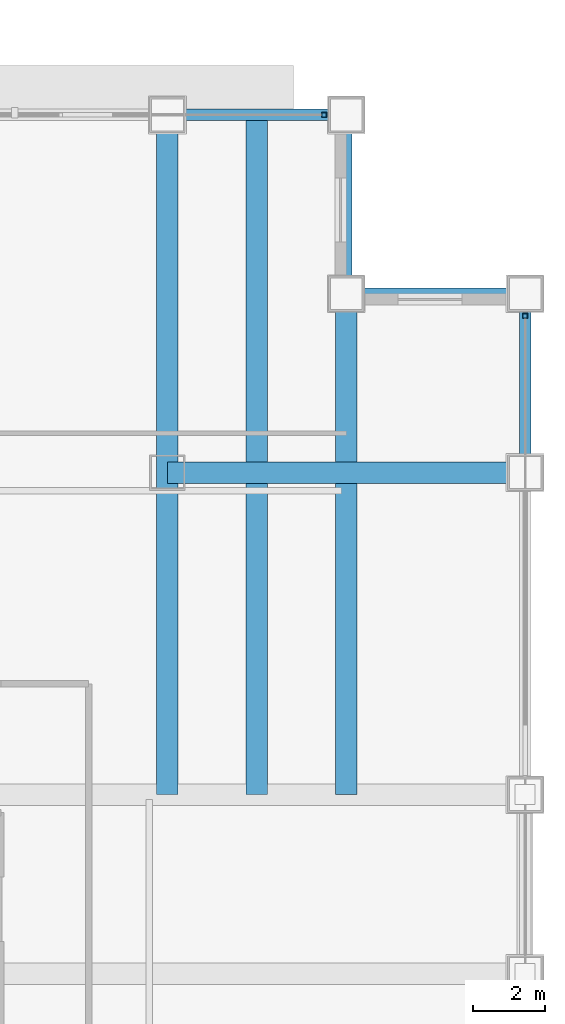
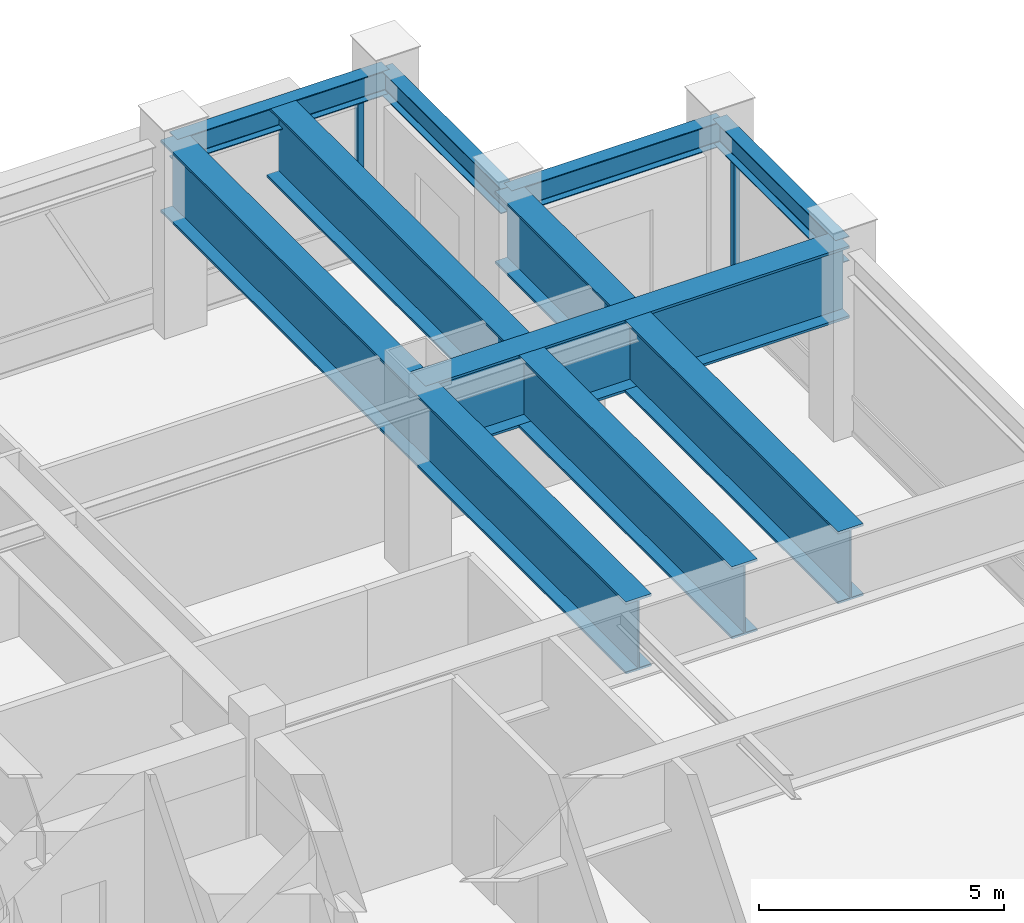
# One storey, part 21 of 33: 8 beams, 2 members, 2 elements without a shape of their own.
"""IFC4 building model written with IfcOpenShell, lengths in metres."""

from ifc_helpers import new_model, si_unit, direction, frame, origin, origin_2d, place, context, subcontext, project, spatial, hollow_rectangle, i_section, extrude, source, transform, mapped, material, material_profile, profile_set, type_object, element, aggregate, save


model = new_model("IFC4")

# Units and contexts
model_context = context("Model", 3, precision=1e-05, world=origin(), true_north=direction((0.0, 1.0)))
body_context = subcontext(model_context, "Body", "Model", "MODEL_VIEW")
ifc_project = project(units=[si_unit("LENGTHUNIT", "METRE"), si_unit("AREAUNIT", "SQUARE_METRE"), si_unit("VOLUMEUNIT", "CUBIC_METRE"), si_unit("PLANEANGLEUNIT", "RADIAN"), si_unit("MASSUNIT", "GRAM", prefix="KILO")], contexts=[model_context])

# Site, building, storey
site_placement = place(None, origin())
site = spatial("IfcSite", under=ifc_project, at=site_placement, CompositionType="ELEMENT")
building_placement = place(site_placement, origin())
building = spatial("IfcBuilding", under=site, at=building_placement, Name="Khorayat Bourse Tower", CompositionType="ELEMENT")
storey_placement = place(building_placement, frame((0.0, 0.0, 263.10009765625)))
storey = spatial("IfcBuildingStorey", under=building, at=storey_placement, Name="L62", CompositionType="ELEMENT", Elevation=263.10009765625)

# Beams
ifc_material_1 = material(Name="Steel EN 10025-4 S460M", Category="steel")
ifc_material_profile_1 = material_profile(ifc_material_1, i_section(OverallWidth=0.60009765625, OverallDepth=1.800048828125, WebThickness=0.031982421875, FlangeThickness=0.06005859375, at=origin_2d()), Name="PG 1800x600x32x60")
ifc_profile_set_1 = profile_set([ifc_material_profile_1], Name="Steel EN 10025-4 S460M")
beam_type_1 = type_object("IfcBeamType", Name="BM-TR-1800", PredefinedType="BEAM", material=ifc_profile_set_1)
shared_shape_1 = source(origin(), body_context, "Body", "SweptSolid", [
    extrude(i_section(OverallWidth=0.60009765625, OverallDepth=1.800048828125, WebThickness=0.031982421875, FlangeThickness=0.06005859375, at=origin_2d()), origin(), (0.0, 0.0, 1.0), 14.0),
])
beam_1_placement = place(storey_placement, frame((25.0, 11.0, 3.699951171875), z_axis=(0.0, 1.0, 0.0), x_axis=(-1.0, 0.0, 0.0)))
element("IfcBeam", 1, at=beam_1_placement, inside=storey, type_object=beam_type_1, Name="L62 BM-TR-1800 BM-L62-CNRY-095", PredefinedType="BEAM", context=body_context, shape_type="MappedRepresentation", body=[
    mapped(shared_shape_1, transform((0.0, 0.0, 0.0), scale=1.0)),
])
shared_shape_2 = source(origin(), body_context, "Body", "SweptSolid", [
    extrude(i_section(OverallWidth=0.60009765625, OverallDepth=1.800048828125, WebThickness=0.031982421875, FlangeThickness=0.06005859375, at=origin_2d()), origin(), (0.0, 0.0, 1.0), 10.0),
])
beam_2_placement = place(storey_placement, frame((20.0, 20.0, 3.699951171875), z_axis=(1.0, 0.0, 0.0), x_axis=(0.0, 1.0, 0.0)))
element("IfcBeam", 2, at=beam_2_placement, inside=storey, type_object=beam_type_1, Name="L62 BM-TR-1800 BM-L62-CNRX-098", PredefinedType="BEAM", context=body_context, shape_type="MappedRepresentation", body=[
    mapped(shared_shape_2, transform((0.0, 0.0, 0.0), scale=1.0)),
])
ifc_material_2 = material(Name="Steel ASTM A992 Grade 50", Category="steel")
ifc_material_profile_2 = material_profile(ifc_material_2, i_section(OverallWidth=0.324951171875, OverallDepth=0.615966796875, WebThickness=0.013916015625, FlangeThickness=0.021484375, FilletRadius=0.01611328125, at=origin_2d()), Name="W610X174")
ifc_profile_set_2 = profile_set([ifc_material_profile_2], Name="Steel ASTM A992 Grade 50")
beam_type_2 = type_object("IfcBeamType", Name="BM-SPAN-610", PredefinedType="SPANDREL", material=ifc_profile_set_2)
shared_shape_3 = source(origin(), body_context, "Body", "SweptSolid", [
    extrude(i_section(OverallWidth=0.324951171875, OverallDepth=0.615966796875, WebThickness=0.013916015625, FlangeThickness=0.021484375, FilletRadius=0.01611328125, at=origin_2d()), origin(), (0.0, 0.0, 1.0), 5.0),
])
for number, where, z_axis, x_axis, name in (
    (3, (30.0, 20.0, 4.2919921875), (0.0, 1.0, 0.0), (-1.0, 0.0, 0.0), "L62 BM-SPAN-610 BM-L62-SPN-041"),
    (4, (25.0, 25.0, 4.2919921875), (1.0, 0.0, 0.0), (0.0, 1.0, 0.0), "L62 BM-SPAN-610 BM-L62-SPN-042"),
    (5, (25.0, 25.0, 4.2919921875), (0.0, 1.0, 0.0), (-1.0, 0.0, 0.0), "L62 BM-SPAN-610 BM-L62-SPN-043"),
    (6, (20.0, 30.0, 4.2919921875), (1.0, 0.0, 0.0), (0.0, 1.0, 0.0), "L62 BM-SPAN-610 BM-L62-SPN-044"),
):
    element("IfcBeam", number, at=place(storey_placement, frame(where, z_axis=z_axis, x_axis=x_axis)), inside=storey, type_object=beam_type_2, Name=name, PredefinedType="SPANDREL", context=body_context, shape_type="MappedRepresentation", body=[
        mapped(shared_shape_3, transform((0.0, 0.0, 0.0), scale=1.0)),
    ])
shared_shape_4 = source(origin(), body_context, "Body", "SweptSolid", [
    extrude(i_section(OverallWidth=0.60009765625, OverallDepth=1.800048828125, WebThickness=0.031982421875, FlangeThickness=0.06005859375, at=origin_2d()), origin(), (0.0, 0.0, 1.0), 19.0),
])
for number, where, z_axis, x_axis, name in (
    (7, (20.0, 11.0, 3.699951171875), (0.0, 1.0, 0.0), (-1.0, 0.0, 0.0), "L62 BM-TR-1800 BM-L62-CNRY-087"),
    (8, (22.5, 11.0, 3.699951171875), (0.0, 1.0, 0.0), (-1.0, 0.0, 0.0), "L62 BM-TR-1800 BM-L62-CNRY-091"),
):
    element("IfcBeam", number, at=place(storey_placement, frame(where, z_axis=z_axis, x_axis=x_axis)), inside=storey, type_object=beam_type_1, Name=name, PredefinedType="BEAM", context=body_context, shape_type="MappedRepresentation", body=[
        mapped(shared_shape_4, transform((0.0, 0.0, 0.0), scale=1.0)),
    ])

# Curtain wall, member
ifc_material_3 = material(Name="Aluminium EN AW-6063 T6", Category="aluminium")
curtain_wall_type = type_object("IfcCurtainWallType", Name="CW-SYS-05", PredefinedType="NOTDEFINED", material=ifc_material_3)
curtain_wall_1_placement = place(storey_placement, origin())
curtain_wall_1 = element("IfcCurtainWall", 9, at=curtain_wall_1_placement, inside=storey, type_object=curtain_wall_type, Name="L62 Curtain Wall CW-L62-N2", PredefinedType="NOTDEFINED")
ifc_material_profile_3 = material_profile(ifc_material_3, hollow_rectangle(XDim=0.139892578125, YDim=0.139892578125, WallThickness=0.006103515625, at=origin_2d()), Name="ALU 140x140x6")
ifc_profile_set_3 = profile_set([ifc_material_profile_3], Name="Aluminium EN AW-6063 T6")
member_type = type_object("IfcMemberType", Name="CWM-VERT-140", PredefinedType="MULLION", material=ifc_profile_set_3)
shared_shape_5 = source(origin(), body_context, "Body", "SweptSolid", [
    extrude(hollow_rectangle(XDim=0.139892578125, YDim=0.139892578125, WallThickness=0.006103515625, at=origin_2d()), origin(), (0.0, 0.0, 1.0), 3.949951171875),
])
member_1_placement = place(storey_placement, frame((24.3798828125, 30.0, 0.0), z_axis=(0.0, 0.0, 1.0), x_axis=(0.0, 1.0, 0.0)))
member_1 = element("IfcMember", 10, at=member_1_placement, type_object=member_type, Name="CW-L62-N2 Vertical Mullion 3", PredefinedType="MULLION", context=body_context, shape_type="MappedRepresentation", body=[
    mapped(shared_shape_5, transform((0.0, 0.0, 0.0), scale=1.0)),
])
aggregate(curtain_wall_1, [member_1])

curtain_wall_2_placement = place(storey_placement, origin())
curtain_wall_2 = element("IfcCurtainWall", 11, at=curtain_wall_2_placement, inside=storey, type_object=curtain_wall_type, Name="L62 Curtain Wall CW-L62-E1", PredefinedType="NOTDEFINED")
member_2_placement = place(storey_placement, frame((30.0, 24.3798828125, 0.0), z_axis=(0.0, 0.0, 1.0), x_axis=(-1.0, 0.0, 0.0)))
member_2 = element("IfcMember", 12, at=member_2_placement, type_object=member_type, Name="CW-L62-E1 Vertical Mullion 3", PredefinedType="MULLION", context=body_context, shape_type="MappedRepresentation", body=[
    mapped(shared_shape_5, transform((0.0, 0.0, 0.0), scale=1.0)),
])
aggregate(curtain_wall_2, [member_2])

save(model, "model.ifc")
